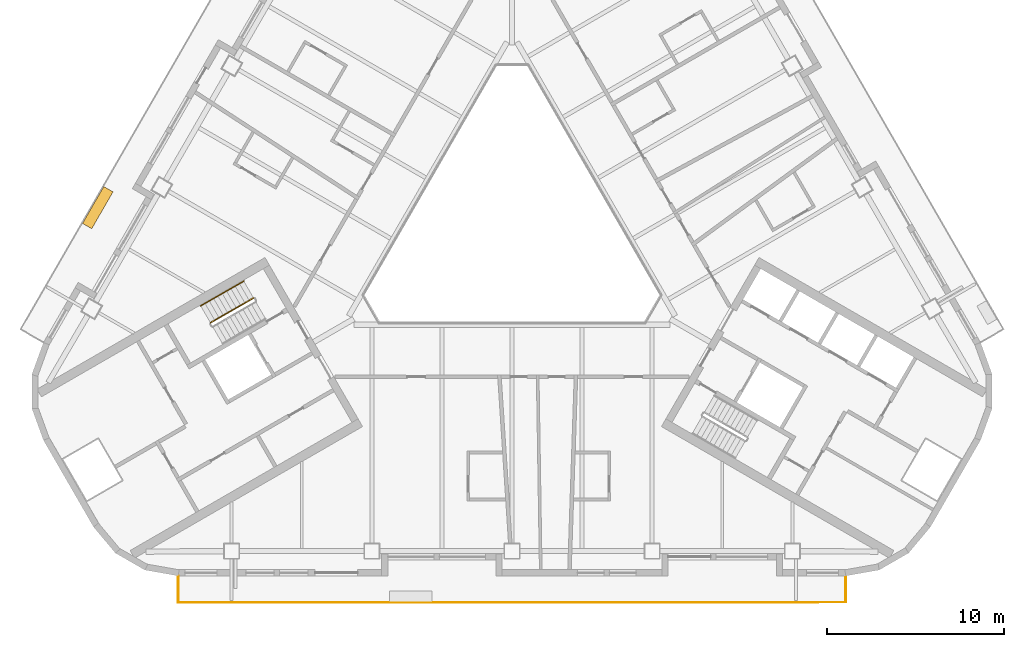
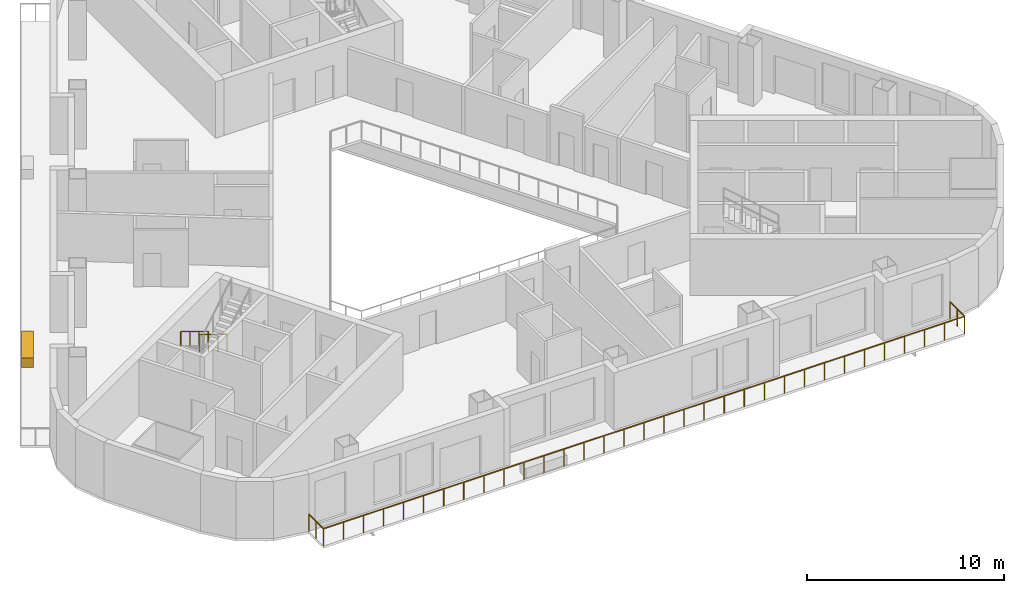
# One storey, part 10 of 14: 3 railings, 1 covering.
"""IFC4 building model written with IfcOpenShell, lengths in metres."""

from ifc_helpers import new_model, si_unit, direction, frame, origin, origin_2d, place, context, subcontext, project, spatial, rectangle, circle, extrude, material, type_object, element, save


model = new_model("IFC4")

# Units and contexts
model_context = context("Model", 3, precision=1e-05, world=origin(), true_north=direction((0.0, 1.0)))
body_context = subcontext(model_context, "Body", "Model", "MODEL_VIEW")
ifc_project = project(units=[si_unit("LENGTHUNIT", "METRE"), si_unit("AREAUNIT", "SQUARE_METRE"), si_unit("VOLUMEUNIT", "CUBIC_METRE"), si_unit("PLANEANGLEUNIT", "RADIAN"), si_unit("MASSUNIT", "GRAM", prefix="KILO")], contexts=[model_context])

# Site, building, storey
site_placement = place(None, origin())
site = spatial("IfcSite", under=ifc_project, at=site_placement, CompositionType="ELEMENT")
building_placement = place(site_placement, origin())
building = spatial("IfcBuilding", under=site, at=building_placement, Name="Apuvela Tower Hotel", CompositionType="ELEMENT")
storey_placement = place(building_placement, frame((0.0, 0.0, 109.39990234375)))
storey = spatial("IfcBuildingStorey", under=building, at=storey_placement, Name="L25", CompositionType="ELEMENT", Elevation=109.39990234375)

# Railings
ifc_material_1 = material(Name="Steel S275 balustrade", Category="steel")
railing_type_1 = type_object("IfcRailingType", Name="COR-GUARD-1100", PredefinedType="GUARDRAIL", material=ifc_material_1)
railing_1_placement = place(storey_placement, frame((-14.569091796875, -3.9658203125, 0.168212890625)))
element("IfcRailing", 1, at=railing_1_placement, inside=storey, type_object=railing_type_1, Name="L25 ST2 stair guard 1", PredefinedType="GUARDRAIL", context=body_context, shape_type="SweptSolid", body=[
    extrude(rectangle(XDim=0.048095703125, YDim=0.048095703125, at=origin_2d()), frame((0.0, 0.0, 1.076171875), z_axis=(-0.742390482028, -0.42860119049, 0.514934356695), x_axis=(0.49998411664, -0.866034573852, 0.0)), (0.0, 0.0, 1.0), 3.26611328125),
    extrude(rectangle(XDim=0.0419921875, YDim=0.0419921875, at=origin_2d()), origin(), (0.0, 0.0, 1.0), 1.052001953125),
    extrude(rectangle(XDim=0.0419921875, YDim=0.0419921875, at=origin_2d()), frame((-0.808349609375, -0.466552734375, 0.560546875)), (0.0, 0.0, 1.0), 1.052001953125),
    extrude(rectangle(XDim=0.0419921875, YDim=0.0419921875, at=origin_2d()), frame((-1.616455078125, -0.933349609375, 1.121337890625)), (0.0, 0.0, 1.0), 1.052001953125),
    extrude(rectangle(XDim=0.0419921875, YDim=0.0419921875, at=origin_2d()), frame((-2.4248046875, -1.39990234375, 1.681884765625)), (0.0, 0.0, 1.0), 1.052001953125),
])
ifc_material_2 = material(Name="Stainless steel 316 handrail", Category="steel")
railing_type_2 = type_object("IfcRailingType", Name="COR-HANDRAIL-900", PredefinedType="HANDRAIL", material=ifc_material_2)
railing_2_placement = place(storey_placement, frame((-15.118896484375, -3.01318359375, 0.168212890625)))
element("IfcRailing", 2, at=railing_2_placement, inside=storey, type_object=railing_type_2, Name="L25 ST2 stair handrail 1", PredefinedType="HANDRAIL", context=body_context, shape_type="SweptSolid", body=[
    extrude(circle(Radius=0.02392578125, at=origin_2d()), frame((0.0, 0.0, 0.8759765625), z_axis=(-0.742424030051, -0.428577407461, 0.514905783049), x_axis=(0.49994636267, -0.866056369097, 0.0)), (0.0, 0.0, 1.0), 3.266357421875),
    extrude(rectangle(XDim=0.0419921875, YDim=0.0419921875, at=origin_2d()), origin(), (0.0, 0.0, 1.0), 0.851806640625),
    extrude(rectangle(XDim=0.0419921875, YDim=0.0419921875, at=origin_2d()), frame((-0.808349609375, -0.466552734375, 0.560546875)), (0.0, 0.0, 1.0), 0.851806640625),
    extrude(rectangle(XDim=0.0419921875, YDim=0.0419921875, at=origin_2d()), frame((-1.61669921875, -0.933349609375, 1.121337890625)), (0.0, 0.0, 1.0), 0.851806640625),
    extrude(rectangle(XDim=0.0419921875, YDim=0.0419921875, at=origin_2d()), frame((-2.425048828125, -1.39990234375, 1.681884765625)), (0.0, 0.0, 1.0), 0.851806640625),
])
ifc_material_3 = material(Name="Stainless steel 316 rail with laminated glass infill", Category="steel")
railing_type_3 = type_object("IfcRailingType", Name="ENV-GUARD-1100", PredefinedType="GUARDRAIL", material=ifc_material_3)
railing_3_placement = place(storey_placement, frame((-18.81591796875, -19.6298828125, 0.0)))
element("IfcRailing", 3, at=railing_3_placement, inside=storey, type_object=railing_type_3, Name="Balcony guard S L25", PredefinedType="GUARDRAIL", context=body_context, shape_type="SweptSolid", body=[
    extrude(rectangle(XDim=0.050048828125, YDim=0.050048828125, at=origin_2d()), frame((0.0, 0.0, 1.0751953125), z_axis=(0.0, -1.0, 0.0), x_axis=(1.0, 0.0, 0.0)), (0.0, 0.0, 1.0), 1.5),
    extrude(rectangle(XDim=0.050048828125, YDim=0.050048828125, at=origin_2d()), frame((0.0, -1.5, 1.0751953125), z_axis=(1.0, 0.0, 0.0), x_axis=(0.0, 1.0, 0.0)), (0.0, 0.0, 1.0), 37.6318359375),
    extrude(rectangle(XDim=0.050048828125, YDim=0.050048828125, at=origin_2d()), frame((37.6318359375, -1.5, 1.0751953125), z_axis=(0.0, 1.0, 0.0), x_axis=(-1.0, 0.0, 0.0)), (0.0, 0.0, 1.0), 1.5),
    extrude(rectangle(XDim=0.0400390625, YDim=0.0400390625, at=origin_2d()), origin(), (0.0, 0.0, 1.0), 1.050048828125),
    extrude(rectangle(XDim=0.0400390625, YDim=0.0400390625, at=origin_2d()), frame((0.0, -0.75, 0.0)), (0.0, 0.0, 1.0), 1.050048828125),
    extrude(rectangle(XDim=0.0400390625, YDim=0.0400390625, at=origin_2d()), frame((0.0, -1.5, 0.0)), (0.0, 0.0, 1.0), 1.050048828125),
    extrude(rectangle(XDim=0.0400390625, YDim=0.0400390625, at=origin_2d()), frame((1.176025390625, -1.5, 0.0)), (0.0, 0.0, 1.0), 1.050048828125),
    extrude(rectangle(XDim=0.0400390625, YDim=0.0400390625, at=origin_2d()), frame((2.35205078125, -1.5, 0.0)), (0.0, 0.0, 1.0), 1.050048828125),
    extrude(rectangle(XDim=0.0400390625, YDim=0.0400390625, at=origin_2d()), frame((3.528076171875, -1.5, 0.0)), (0.0, 0.0, 1.0), 1.050048828125),
    extrude(rectangle(XDim=0.0400390625, YDim=0.0400390625, at=origin_2d()), frame((4.7041015625, -1.5, 0.0)), (0.0, 0.0, 1.0), 1.050048828125),
    extrude(rectangle(XDim=0.0400390625, YDim=0.0400390625, at=origin_2d()), frame((5.8798828125, -1.5, 0.0)), (0.0, 0.0, 1.0), 1.050048828125),
    extrude(rectangle(XDim=0.0400390625, YDim=0.0400390625, at=origin_2d()), frame((7.055908203125, -1.5, 0.0)), (0.0, 0.0, 1.0), 1.050048828125),
    extrude(rectangle(XDim=0.0400390625, YDim=0.0400390625, at=origin_2d()), frame((8.23193359375, -1.5, 0.0)), (0.0, 0.0, 1.0), 1.050048828125),
    extrude(rectangle(XDim=0.0400390625, YDim=0.0400390625, at=origin_2d()), frame((9.407958984375, -1.5, 0.0)), (0.0, 0.0, 1.0), 1.050048828125),
    extrude(rectangle(XDim=0.0400390625, YDim=0.0400390625, at=origin_2d()), frame((10.583984375, -1.5, 0.0)), (0.0, 0.0, 1.0), 1.050048828125),
    extrude(rectangle(XDim=0.0400390625, YDim=0.0400390625, at=origin_2d()), frame((11.760009765625, -1.5, 0.0)), (0.0, 0.0, 1.0), 1.050048828125),
    extrude(rectangle(XDim=0.0400390625, YDim=0.0400390625, at=origin_2d()), frame((12.93603515625, -1.5, 0.0)), (0.0, 0.0, 1.0), 1.050048828125),
    extrude(rectangle(XDim=0.0400390625, YDim=0.0400390625, at=origin_2d()), frame((14.11181640625, -1.5, 0.0)), (0.0, 0.0, 1.0), 1.050048828125),
    extrude(rectangle(XDim=0.0400390625, YDim=0.0400390625, at=origin_2d()), frame((15.287841796875, -1.5, 0.0)), (0.0, 0.0, 1.0), 1.050048828125),
    extrude(rectangle(XDim=0.0400390625, YDim=0.0400390625, at=origin_2d()), frame((16.4638671875, -1.5, 0.0)), (0.0, 0.0, 1.0), 1.050048828125),
    extrude(rectangle(XDim=0.0400390625, YDim=0.0400390625, at=origin_2d()), frame((17.639892578125, -1.5, 0.0)), (0.0, 0.0, 1.0), 1.050048828125),
    extrude(rectangle(XDim=0.0400390625, YDim=0.0400390625, at=origin_2d()), frame((18.81591796875, -1.5, 0.0)), (0.0, 0.0, 1.0), 1.050048828125),
    extrude(rectangle(XDim=0.0400390625, YDim=0.0400390625, at=origin_2d()), frame((19.991943359375, -1.5, 0.0)), (0.0, 0.0, 1.0), 1.050048828125),
    extrude(rectangle(XDim=0.0400390625, YDim=0.0400390625, at=origin_2d()), frame((21.16796875, -1.5, 0.0)), (0.0, 0.0, 1.0), 1.050048828125),
    extrude(rectangle(XDim=0.0400390625, YDim=0.0400390625, at=origin_2d()), frame((22.343994140625, -1.5, 0.0)), (0.0, 0.0, 1.0), 1.050048828125),
    extrude(rectangle(XDim=0.0400390625, YDim=0.0400390625, at=origin_2d()), frame((23.52001953125, -1.5, 0.0)), (0.0, 0.0, 1.0), 1.050048828125),
    extrude(rectangle(XDim=0.0400390625, YDim=0.0400390625, at=origin_2d()), frame((24.69580078125, -1.5, 0.0)), (0.0, 0.0, 1.0), 1.050048828125),
    extrude(rectangle(XDim=0.0400390625, YDim=0.0400390625, at=origin_2d()), frame((25.871826171875, -1.5, 0.0)), (0.0, 0.0, 1.0), 1.050048828125),
    extrude(rectangle(XDim=0.0400390625, YDim=0.0400390625, at=origin_2d()), frame((27.0478515625, -1.5, 0.0)), (0.0, 0.0, 1.0), 1.050048828125),
    extrude(rectangle(XDim=0.0400390625, YDim=0.0400390625, at=origin_2d()), frame((28.223876953125, -1.5, 0.0)), (0.0, 0.0, 1.0), 1.050048828125),
    extrude(rectangle(XDim=0.0400390625, YDim=0.0400390625, at=origin_2d()), frame((29.39990234375, -1.5, 0.0)), (0.0, 0.0, 1.0), 1.050048828125),
    extrude(rectangle(XDim=0.0400390625, YDim=0.0400390625, at=origin_2d()), frame((30.575927734375, -1.5, 0.0)), (0.0, 0.0, 1.0), 1.050048828125),
    extrude(rectangle(XDim=0.0400390625, YDim=0.0400390625, at=origin_2d()), frame((31.751953125, -1.5, 0.0)), (0.0, 0.0, 1.0), 1.050048828125),
    extrude(rectangle(XDim=0.0400390625, YDim=0.0400390625, at=origin_2d()), frame((32.927734375, -1.5, 0.0)), (0.0, 0.0, 1.0), 1.050048828125),
    extrude(rectangle(XDim=0.0400390625, YDim=0.0400390625, at=origin_2d()), frame((34.103759765625, -1.5, 0.0)), (0.0, 0.0, 1.0), 1.050048828125),
    extrude(rectangle(XDim=0.0400390625, YDim=0.0400390625, at=origin_2d()), frame((35.27978515625, -1.5, 0.0)), (0.0, 0.0, 1.0), 1.050048828125),
    extrude(rectangle(XDim=0.0400390625, YDim=0.0400390625, at=origin_2d()), frame((36.455810546875, -1.5, 0.0)), (0.0, 0.0, 1.0), 1.050048828125),
    extrude(rectangle(XDim=0.0400390625, YDim=0.0400390625, at=origin_2d()), frame((37.6318359375, -1.5, 0.0)), (0.0, 0.0, 1.0), 1.050048828125),
    extrude(rectangle(XDim=0.0400390625, YDim=0.0400390625, at=origin_2d()), frame((37.6318359375, -0.75, 0.0)), (0.0, 0.0, 1.0), 1.050048828125),
    extrude(rectangle(XDim=0.0400390625, YDim=0.0400390625, at=origin_2d()), frame((37.6318359375, 0.0, 0.0)), (0.0, 0.0, 1.0), 1.050048828125),
])

# Covering
ifc_material_4 = material(Name="Planting substrate and soil, planted")
covering_type = type_object("IfcCoveringType", Name="ENV-PLANTER-2400x600", PredefinedType="USERDEFINED", material=ifc_material_4)
covering_placement = place(storey_placement, frame((-23.345947265625, 1.12353515625, 0.0), z_axis=(0.0, 0.0, 1.0), x_axis=(-0.5, -0.866025403784, 0.0)))
element("IfcCovering", 4, at=covering_placement, inside=storey, type_object=covering_type, Name="Planter NW5", ObjectType="PLANTER", PredefinedType="USERDEFINED", context=body_context, shape_type="SweptSolid", body=[
    extrude(rectangle(XDim=2.39990234375, YDim=0.60009765625, at=origin_2d()), origin(), (0.0, 0.0, 1.0), 0.60009765625),
])

save(model, "model.ifc")
